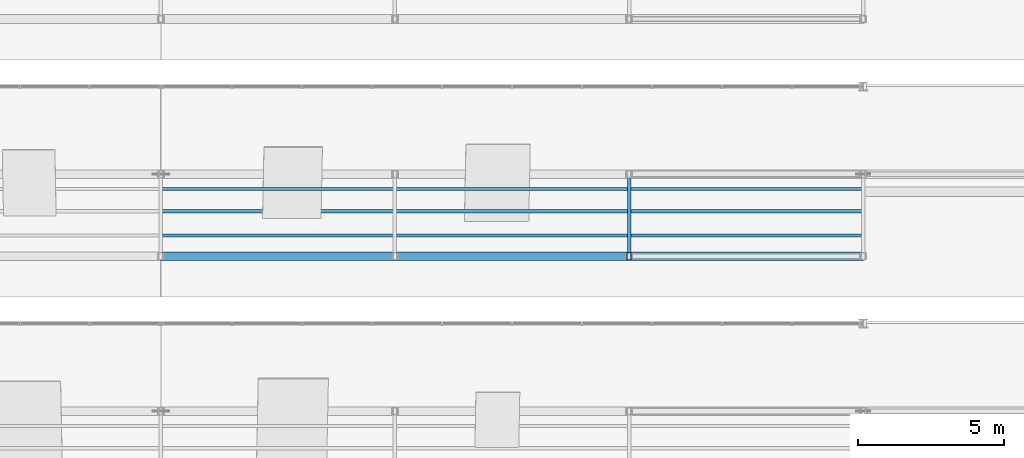
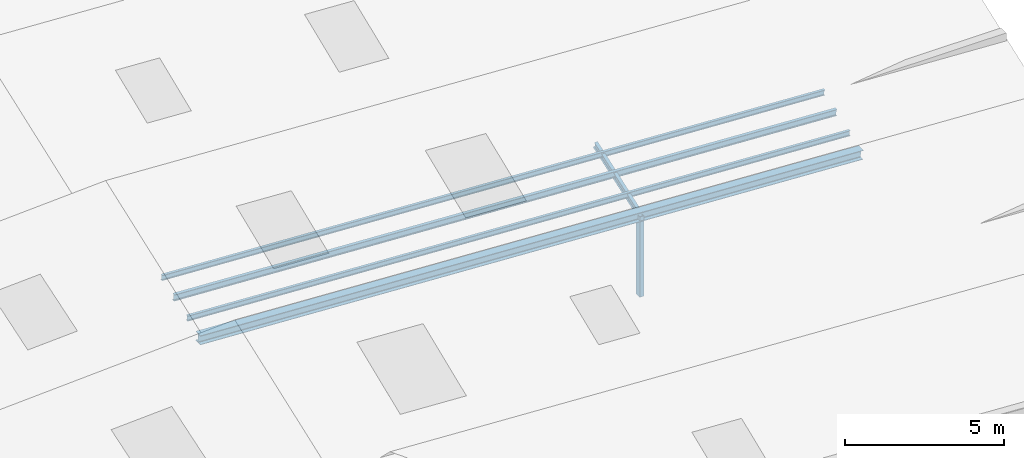
# One storey, part 64 of 141: 6 members.
"""IFC4 building model written with IfcOpenShell, lengths in metres."""

from ifc_helpers import new_model, si_unit, direction, frame, origin, origin_2d, place, context, subcontext, project, spatial, hollow_rectangle, i_section, extrude, material, material_profile, profile_set, type_object, element, save


model = new_model("IFC4")

# Units and contexts
model_context = context("Model", 3, precision=1e-05, world=origin(), true_north=direction((0.0, 1.0)))
body_context = subcontext(model_context, "Body", "Model", "MODEL_VIEW")
ifc_project = project(units=[si_unit("LENGTHUNIT", "METRE"), si_unit("AREAUNIT", "SQUARE_METRE"), si_unit("VOLUMEUNIT", "CUBIC_METRE"), si_unit("PLANEANGLEUNIT", "RADIAN"), si_unit("MASSUNIT", "GRAM", prefix="KILO")], contexts=[model_context])

# Site, building, storey
site_placement = place(None, origin())
site = spatial("IfcSite", under=ifc_project, at=site_placement, CompositionType="ELEMENT")
building_placement = place(site_placement, origin())
building = spatial("IfcBuilding", under=site, at=building_placement, Name="Sundkrona Museum", CompositionType="ELEMENT")
storey_placement = place(building_placement, frame((0.0, 0.0, 34.0)))
storey = spatial("IfcBuildingStorey", under=building, at=storey_placement, Name="RF", CompositionType="ELEMENT", Elevation=34.0)

# Members
ifc_material = material(Name="Steel S355J2", Category="steel")
ifc_material_profile_1 = material_profile(ifc_material, i_section(OverallWidth=0.10009765625, OverallDepth=0.199951171875, WebThickness=0.005615234375, FlangeThickness=0.008544921875, FilletRadius=0.011962890625, at=origin_2d()), Name="IPE 200")
ifc_profile_set_1 = profile_set([ifc_material_profile_1], Name="Steel S355J2")
member_type_1 = type_object("IfcMemberType", Name="PR-IPE200", PredefinedType="PURLIN", material=ifc_profile_set_1)
for number, where, z_axis, x_axis, name in (
    (1, (144.0, 21.39990234375, 4.037841796875), (0.998539934522, 0.0, -0.054018507607), (0.0, 1.0, 0.0), "RFS-1 Sawtooth Blade 4E Roof Purlin 1"),
    (2, (144.0, 22.99609375, 4.625244140625), (0.998539934522, 0.0, -0.054018507607), (0.0, 1.0, 0.0), "RFS-1 Sawtooth Blade 4E Roof Purlin 3"),
):
    element("IfcMember", number, at=place(storey_placement, frame(where, z_axis=z_axis, x_axis=x_axis)), inside=storey, type_object=member_type_1, Name=name, PredefinedType="PURLIN", context=body_context, shape_type="SweptSolid", body=[
        extrude(i_section(OverallWidth=0.10009765625, OverallDepth=0.199951171875, WebThickness=0.005615234375, FlangeThickness=0.008544921875, FilletRadius=0.011962890625, at=origin_2d()), origin(), (0.0, 0.0, 1.0), 24.03515625),
    ])
ifc_material_profile_2 = material_profile(ifc_material, i_section(OverallWidth=0.1201171875, OverallDepth=0.239990234375, WebThickness=0.006103515625, FlangeThickness=0.009765625, FilletRadius=0.014892578125, at=origin_2d()), Name="IPE 240")
ifc_profile_set_2 = profile_set([ifc_material_profile_2], Name="Steel S355J2")
member_type_2 = type_object("IfcMemberType", Name="PR-IPE240", PredefinedType="PURLIN", material=ifc_profile_set_2)
member_1_placement = place(storey_placement, frame((160.0, 20.699951171875, 2.82958984375), z_axis=(0.0, 0.942729033287, 0.333559544605), x_axis=(-1.0, 0.0, 0.0)))
element("IfcMember", 3, at=member_1_placement, inside=storey, type_object=member_type_2, Name="RFS-1 Sawtooth Bay 4 Transverse Rafter 6", PredefinedType="PURLIN", context=body_context, shape_type="SweptSolid", body=[
    extrude(i_section(OverallWidth=0.1201171875, OverallDepth=0.239990234375, WebThickness=0.006103515625, FlangeThickness=0.009765625, FilletRadius=0.014892578125, at=origin_2d()), origin(), (0.0, 0.0, 1.0), 2.97021484375),
])
member_2_placement = place(storey_placement, frame((144.0, 22.239990234375, 4.3271484375), z_axis=(0.998539934522, 0.0, -0.054018507607), x_axis=(0.0, 1.0, 0.0)))
element("IfcMember", 4, at=member_2_placement, inside=storey, type_object=member_type_2, Name="RFS-1 Sawtooth Blade 4E Roof Purlin 2", PredefinedType="PURLIN", context=body_context, shape_type="SweptSolid", body=[
    extrude(i_section(OverallWidth=0.1201171875, OverallDepth=0.239990234375, WebThickness=0.006103515625, FlangeThickness=0.009765625, FilletRadius=0.014892578125, at=origin_2d()), origin(), (0.0, 0.0, 1.0), 24.03515625),
])
ifc_material_profile_3 = material_profile(ifc_material, hollow_rectangle(XDim=0.14990234375, YDim=0.25, WallThickness=0.010009765625, at=origin_2d()), Name="RHS 250x150x10.0")
ifc_profile_set_3 = profile_set([ifc_material_profile_3], Name="Steel S355J2")
member_type_3 = type_object("IfcMemberType", Name="ST-RHS250", PredefinedType="STRUT", material=ifc_profile_set_3)
member_3_placement = place(storey_placement, frame((160.0, 20.699951171875, -0.25), z_axis=(0.0, 0.0, 1.0), x_axis=(1.0, 0.0, 0.0)))
element("IfcMember", 5, at=member_3_placement, inside=storey, type_object=member_type_3, Name="RFS-1 Sawtooth Bay 4 Valley Post 6", PredefinedType="STRUT", context=body_context, shape_type="SweptSolid", body=[
    extrude(hollow_rectangle(XDim=0.14990234375, YDim=0.25, WallThickness=0.010009765625, at=origin_2d()), origin(), (0.0, 0.0, 1.0), 3.07958984375),
])
ifc_material_profile_4 = material_profile(ifc_material, i_section(OverallWidth=0.300048828125, OverallDepth=0.35009765625, WebThickness=0.010009765625, FlangeThickness=0.017578125, FilletRadius=0.027099609375, at=origin_2d()), Name="HEA 360")
ifc_profile_set_4 = profile_set([ifc_material_profile_4], Name="Steel S355J2")
member_type_4 = type_object("IfcMemberType", Name="TC-HEA360", PredefinedType="CHORD", material=ifc_profile_set_4)
member_4_placement = place(storey_placement, frame((144.0, 20.699951171875, 3.6953125), z_axis=(0.998539934522, 0.0, -0.054018507607), x_axis=(0.0, 1.0, 0.0)))
element("IfcMember", 6, at=member_4_placement, inside=storey, type_object=member_type_4, Name="RFS-1 Sawtooth Valley Truss 4 East Top Chord", PredefinedType="CHORD", context=body_context, shape_type="SweptSolid", body=[
    extrude(i_section(OverallWidth=0.300048828125, OverallDepth=0.35009765625, WebThickness=0.010009765625, FlangeThickness=0.017578125, FilletRadius=0.027099609375, at=origin_2d()), origin(), (0.0, 0.0, 1.0), 24.03515625),
])

save(model, "model.ifc")
